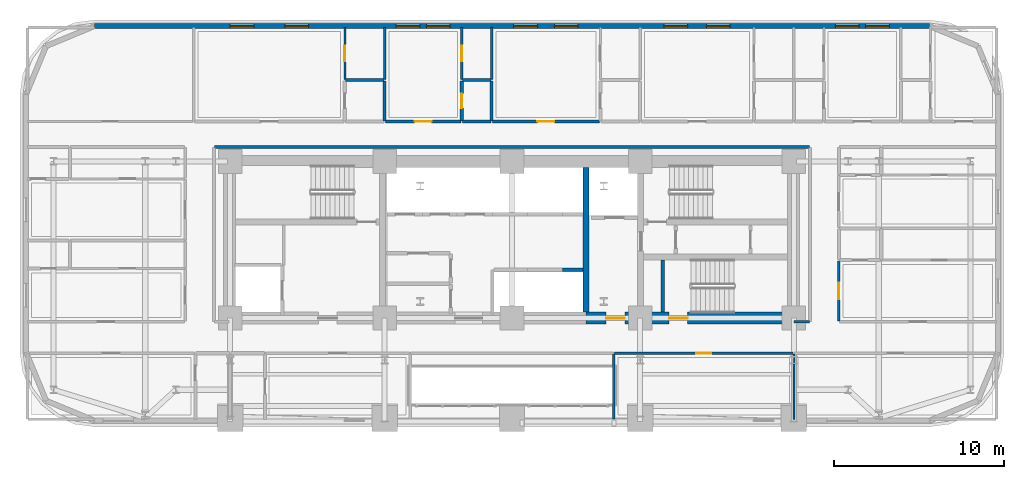
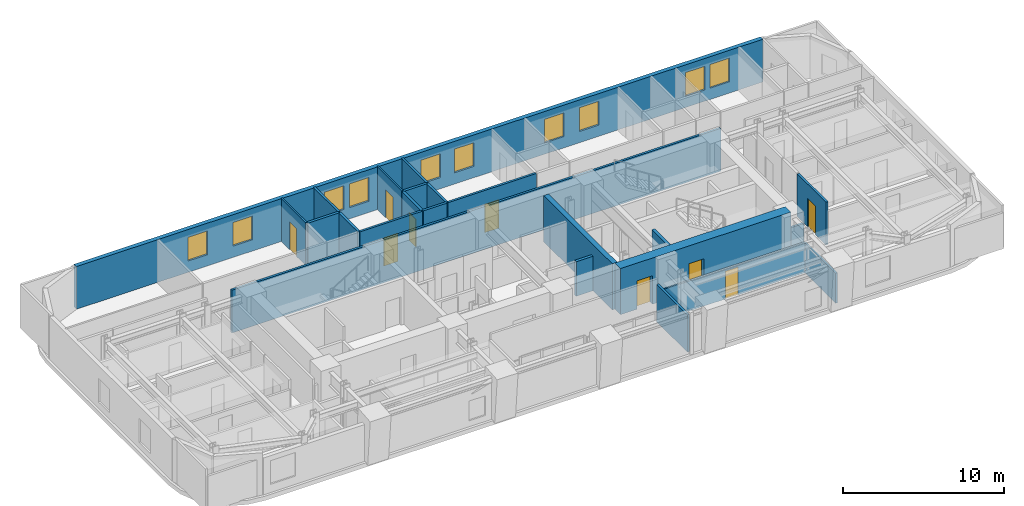
# One storey, part 9 of 16: 23 walls, 10 windows, 9 doors, 19 openings.
"""IFC4 building model written with IfcOpenShell, lengths in metres."""

from ifc_helpers import new_model, si_unit, direction, frame, frame_2d, origin, place, context, subcontext, project, spatial, rectangle, extrude, material, layer, layer_set, type_object, element, fill, save


model = new_model("IFC4")

# Units and contexts
model_context = context("Model", 3, precision=1e-05, world=origin(), true_north=direction((0.0, 1.0)))
body_context = subcontext(model_context, "Body", "Model", "MODEL_VIEW")
ifc_project = project(units=[si_unit("LENGTHUNIT", "METRE"), si_unit("AREAUNIT", "SQUARE_METRE"), si_unit("VOLUMEUNIT", "CUBIC_METRE"), si_unit("PLANEANGLEUNIT", "RADIAN"), si_unit("MASSUNIT", "GRAM", prefix="KILO")], contexts=[model_context])

# Site, building, storey
site_placement = place(None, origin())
site = spatial("IfcSite", under=ifc_project, at=site_placement, CompositionType="ELEMENT")
building_placement = place(site_placement, origin())
building = spatial("IfcBuilding", under=site, at=building_placement, Name="Zarnavel Station Tower", CompositionType="ELEMENT")
storey_placement = place(building_placement, frame((0.0, 0.0, 46.5)))
storey = spatial("IfcBuildingStorey", under=building, at=storey_placement, Name="L12", CompositionType="ELEMENT", Elevation=46.5)

# Wall
ifc_material_1 = material(Name="Concrete C50/60", Category="concrete")
ifc_layer_1 = layer(ifc_material_1, 0.35009765625)
ifc_layer_set_1 = layer_set([ifc_layer_1], Name="CW_350")
wall_type_1 = type_object("IfcWallType", Name="CW_350", PredefinedType="SHEAR", material=ifc_layer_set_1)
wall_1_placement = place(storey_placement, frame((33.14990234375, 28.169921875, 0.0), z_axis=(0.0, 0.0, 1.0), x_axis=(0.0, 1.0, 0.0)))
element("IfcWall", 1, at=wall_1_placement, inside=storey, type_object=wall_type_1, Name="L12 Rear Core Shear Wall DIV-E", PredefinedType="SHEAR", context=body_context, shape_type="SweptSolid", body=[
    extrude(rectangle(XDim=8.530029296875, YDim=0.35009765625, at=frame_2d((4.26513671875, 0.0))), origin(), (0.0, 0.0, 1.0), 3.5),
])

# Wall, openings, doors
ifc_material_2 = material(Name="Concrete C60/75", Category="concrete")
ifc_layer_2 = layer(ifc_material_2, 0.699951171875)
ifc_layer_set_2 = layer_set([ifc_layer_2], Name="CW_700")
wall_type_2 = type_object("IfcWallType", Name="CW_700", PredefinedType="SHEAR", material=ifc_layer_set_2)
wall_2_placement = place(storey_placement, frame((45.3798828125, 27.820068359375, 0.0), z_axis=(0.0, 0.0, 1.0), x_axis=(-1.0, 0.0, 0.0)))
wall_2 = element("IfcWall", 2, at=wall_2_placement, inside=storey, type_object=wall_type_2, Name="L12 Rear Core Shear Wall S-E", PredefinedType="SHEAR", context=body_context, shape_type="SweptSolid", body=[
    extrude(rectangle(XDim=12.22998046875, YDim=0.699951171875, at=frame_2d((6.114990234375, 0.0))), origin(), (0.0, 0.0, 1.0), 3.5),
])
opening_1_placement = place(wall_2_placement, frame((9.929931640625, 0.0, 0.0)))
opening_1 = element("IfcOpeningElement", 3, at=opening_1_placement, cuts=wall_2, Name="Opening FD01", PredefinedType="OPENING", context=body_context, shape_type="SweptSolid", body=[
    extrude(rectangle(XDim=1.10009765625, YDim=2.14990234375, at=frame_2d((0.550048828125, 1.074951171875))), frame((0.0, 0.35986328125, 0.0), z_axis=(0.0, -1.0, 0.0), x_axis=(1.0, 0.0, 0.0)), (0.0, 0.0, 1.0), 0.719970703125),
])
opening_2_placement = place(wall_2_placement, frame((6.22998046875, 0.0, 0.0)))
opening_2 = element("IfcOpeningElement", 4, at=opening_2_placement, cuts=wall_2, Name="Opening FD01", PredefinedType="OPENING", context=body_context, shape_type="SweptSolid", body=[
    extrude(rectangle(XDim=1.10009765625, YDim=2.14990234375, at=frame_2d((0.550048828125, 1.074951171875))), frame((0.0, 0.35986328125, 0.0), z_axis=(0.0, -1.0, 0.0), x_axis=(1.0, 0.0, 0.0)), (0.0, 0.0, 1.0), 0.719970703125),
])
ifc_material_3 = material(Name="Painted Galvanised Steel and Hardwood Leaf", Category="steel")
door_type_1 = type_object("IfcDoorType", Name="ID_STAIR_1100", OperationType="NOTDEFINED", PredefinedType="DOOR", material=ifc_material_3)
door_1_placement = place(opening_1_placement, origin())
door_1 = element("IfcDoor", 5, at=door_1_placement, inside=storey, type_object=door_type_1, Name="L12 East Firefighting Lobby Door", OperationType="SINGLE_SWING_LEFT", OverallHeight=2.14990234375, OverallWidth=1.10009765625, PredefinedType="DOOR", context=body_context, shape_type="SweptSolid", body=[
    extrude(rectangle(XDim=1.10009765625, YDim=2.14990234375, at=frame_2d((0.550048828125, 1.074951171875))), frame((0.0, 0.02490234375, 0.0), z_axis=(0.0, -1.0, 0.0), x_axis=(1.0, 0.0, 0.0)), (0.0, 0.0, 1.0), 0.050048828125),
])
fill(opening_1, door_1)
door_2_placement = place(opening_2_placement, origin())
door_2 = element("IfcDoor", 6, at=door_2_placement, inside=storey, type_object=door_type_1, Name="L12 Stair ST3 Corridor Fire Door", OperationType="SINGLE_SWING_RIGHT", OverallHeight=2.14990234375, OverallWidth=1.10009765625, PredefinedType="DOOR", context=body_context, shape_type="SweptSolid", body=[
    extrude(rectangle(XDim=1.10009765625, YDim=2.14990234375, at=frame_2d((0.550048828125, 1.074951171875))), frame((0.0, 0.02490234375, 0.0), z_axis=(0.0, -1.0, 0.0), x_axis=(1.0, 0.0, 0.0)), (0.0, 0.0, 1.0), 0.050048828125),
])
fill(opening_2, door_2)

# Wall, openings, windows
ifc_material_4 = material(Name="Precast concrete C45/55 (Dark Basalt Finish)", Category="masonry")
ifc_layer_3 = layer(ifc_material_4, 0.300048828125)
ifc_layer_set_3 = layer_set([ifc_layer_3], Name="EW_BASALT_300")
wall_type_3 = type_object("IfcWallType", Name="EW_BASALT_300", PredefinedType="SOLIDWALL", material=ifc_layer_set_3)
wall_3_placement = place(storey_placement, frame((4.199951171875, 45.02001953125, 0.0), z_axis=(0.0, 0.0, 1.0), x_axis=(1.0, 0.0, 0.0)))
wall_3 = element("IfcWall", 7, at=wall_3_placement, inside=storey, type_object=wall_type_3, Name="L12 Exterior Basalt Masonry Frame Wall 06", PredefinedType="SOLIDWALL", context=body_context, shape_type="SweptSolid", body=[
    extrude(rectangle(XDim=49.199951171875, YDim=0.300048828125, at=frame_2d((24.60009765625, 0.0))), origin(), (0.0, 0.0, 1.0), 3.239990234375),
])
opening_3_placement = place(wall_3_placement, frame((7.989990234375, 0.0, 0.85009765625)))
opening_3 = element("IfcOpeningElement", 8, at=opening_3_placement, cuts=wall_3, Name="Opening WN01", PredefinedType="OPENING", context=body_context, shape_type="SweptSolid", body=[
    extrude(rectangle(XDim=1.39990234375, YDim=1.800048828125, at=frame_2d((0.699951171875, 0.89990234375))), frame((0.0, 0.159912109375, 0.0), z_axis=(0.0, -1.0, 0.0), x_axis=(1.0, 0.0, 0.0)), (0.0, 0.0, 1.0), 0.320068359375),
])
opening_4_placement = place(wall_3_placement, frame((11.219970703125, 0.0, 0.85009765625)))
opening_4 = element("IfcOpeningElement", 9, at=opening_4_placement, cuts=wall_3, Name="Opening WN01", PredefinedType="OPENING", context=body_context, shape_type="SweptSolid", body=[
    extrude(rectangle(XDim=1.39990234375, YDim=1.800048828125, at=frame_2d((0.699951171875, 0.89990234375))), frame((0.0, 0.159912109375, 0.0), z_axis=(0.0, -1.0, 0.0), x_axis=(1.0, 0.0, 0.0)), (0.0, 0.0, 1.0), 0.320068359375),
])
opening_5_placement = place(wall_3_placement, frame((17.77978515625, 0.0, 0.85009765625)))
opening_5 = element("IfcOpeningElement", 10, at=opening_5_placement, cuts=wall_3, Name="Opening WN01", PredefinedType="OPENING", context=body_context, shape_type="SweptSolid", body=[
    extrude(rectangle(XDim=1.39990234375, YDim=1.800048828125, at=frame_2d((0.699951171875, 0.89990234375))), frame((0.0, 0.159912109375, 0.0), z_axis=(0.0, -1.0, 0.0), x_axis=(1.0, 0.0, 0.0)), (0.0, 0.0, 1.0), 0.320068359375),
])
opening_6_placement = place(wall_3_placement, frame((19.559326171875, 0.0, 0.85009765625)))
opening_6 = element("IfcOpeningElement", 11, at=opening_6_placement, cuts=wall_3, Name="Opening WN01", PredefinedType="OPENING", context=body_context, shape_type="SweptSolid", body=[
    extrude(rectangle(XDim=1.39990234375, YDim=1.800048828125, at=frame_2d((0.699951171875, 0.89990234375))), frame((0.0, 0.159912109375, 0.0), z_axis=(0.0, -1.0, 0.0), x_axis=(1.0, 0.0, 0.0)), (0.0, 0.0, 1.0), 0.320068359375),
])
opening_7_placement = place(wall_3_placement, frame((24.70263671875, 0.0, 0.85009765625)))
opening_7 = element("IfcOpeningElement", 12, at=opening_7_placement, cuts=wall_3, Name="Opening WN01", PredefinedType="OPENING", context=body_context, shape_type="SweptSolid", body=[
    extrude(rectangle(XDim=1.39990234375, YDim=1.800048828125, at=frame_2d((0.699951171875, 0.89990234375))), frame((0.0, 0.159912109375, 0.0), z_axis=(0.0, -1.0, 0.0), x_axis=(1.0, 0.0, 0.0)), (0.0, 0.0, 1.0), 0.320068359375),
])
opening_8_placement = place(wall_3_placement, frame((27.101318359375, 0.0, 0.85009765625)))
opening_8 = element("IfcOpeningElement", 13, at=opening_8_placement, cuts=wall_3, Name="Opening WN01", PredefinedType="OPENING", context=body_context, shape_type="SweptSolid", body=[
    extrude(rectangle(XDim=1.39990234375, YDim=1.800048828125, at=frame_2d((0.699951171875, 0.89990234375))), frame((0.0, 0.159912109375, 0.0), z_axis=(0.0, -1.0, 0.0), x_axis=(1.0, 0.0, 0.0)), (0.0, 0.0, 1.0), 0.320068359375),
])
opening_9_placement = place(wall_3_placement, frame((33.550048828125, 0.0, 0.85009765625)))
opening_9 = element("IfcOpeningElement", 14, at=opening_9_placement, cuts=wall_3, Name="Opening WN01", PredefinedType="OPENING", context=body_context, shape_type="SweptSolid", body=[
    extrude(rectangle(XDim=1.39990234375, YDim=1.800048828125, at=frame_2d((0.699951171875, 0.89990234375))), frame((0.0, 0.159912109375, 0.0), z_axis=(0.0, -1.0, 0.0), x_axis=(1.0, 0.0, 0.0)), (0.0, 0.0, 1.0), 0.320068359375),
])
opening_10_placement = place(wall_3_placement, frame((36.050048828125, 0.0, 0.85009765625)))
opening_10 = element("IfcOpeningElement", 15, at=opening_10_placement, cuts=wall_3, Name="Opening WN01", PredefinedType="OPENING", context=body_context, shape_type="SweptSolid", body=[
    extrude(rectangle(XDim=1.39990234375, YDim=1.800048828125, at=frame_2d((0.699951171875, 0.89990234375))), frame((0.0, 0.159912109375, 0.0), z_axis=(0.0, -1.0, 0.0), x_axis=(1.0, 0.0, 0.0)), (0.0, 0.0, 1.0), 0.320068359375),
])
opening_11_placement = place(wall_3_placement, frame((43.644775390625, 0.0, 0.85009765625)))
opening_11 = element("IfcOpeningElement", 16, at=opening_11_placement, cuts=wall_3, Name="Opening WN01", PredefinedType="OPENING", context=body_context, shape_type="SweptSolid", body=[
    extrude(rectangle(XDim=1.39990234375, YDim=1.800048828125, at=frame_2d((0.699951171875, 0.89990234375))), frame((0.0, 0.159912109375, 0.0), z_axis=(0.0, -1.0, 0.0), x_axis=(1.0, 0.0, 0.0)), (0.0, 0.0, 1.0), 0.320068359375),
])
opening_12_placement = place(wall_3_placement, frame((45.42431640625, 0.0, 0.85009765625)))
opening_12 = element("IfcOpeningElement", 17, at=opening_12_placement, cuts=wall_3, Name="Opening WN01", PredefinedType="OPENING", context=body_context, shape_type="SweptSolid", body=[
    extrude(rectangle(XDim=1.39990234375, YDim=1.800048828125, at=frame_2d((0.699951171875, 0.89990234375))), frame((0.0, 0.159912109375, 0.0), z_axis=(0.0, -1.0, 0.0), x_axis=(1.0, 0.0, 0.0)), (0.0, 0.0, 1.0), 0.320068359375),
])
ifc_material_5 = material(Name="Thermally Broken Black Aluminium and Low-E Dark Glass", Category="aluminium")
window_type = type_object("IfcWindowType", Name="WN_1400x1800", PartitioningType="DOUBLE_PANEL_VERTICAL", PredefinedType="WINDOW", material=ifc_material_5)
window_1_placement = place(opening_3_placement, origin())
window_1 = element("IfcWindow", 18, at=window_1_placement, inside=storey, type_object=window_type, Name="L12 Recessed Facade Window 01", OverallHeight=1.800048828125, OverallWidth=1.39990234375, PartitioningType="SINGLE_PANEL", PredefinedType="WINDOW", context=body_context, shape_type="SweptSolid", body=[
    extrude(rectangle(XDim=1.39990234375, YDim=1.800048828125, at=frame_2d((0.699951171875, 0.89990234375))), frame((0.0, 0.030029296875, 0.0), z_axis=(0.0, -1.0, 0.0), x_axis=(1.0, 0.0, 0.0)), (0.0, 0.0, 1.0), 0.06005859375),
])
fill(opening_3, window_1)
window_2_placement = place(opening_4_placement, origin())
window_2 = element("IfcWindow", 19, at=window_2_placement, inside=storey, type_object=window_type, Name="L12 Recessed Facade Window 02", OverallHeight=1.800048828125, OverallWidth=1.39990234375, PartitioningType="SINGLE_PANEL", PredefinedType="WINDOW", context=body_context, shape_type="SweptSolid", body=[
    extrude(rectangle(XDim=1.39990234375, YDim=1.800048828125, at=frame_2d((0.699951171875, 0.89990234375))), frame((0.0, 0.030029296875, 0.0), z_axis=(0.0, -1.0, 0.0), x_axis=(1.0, 0.0, 0.0)), (0.0, 0.0, 1.0), 0.06005859375),
])
fill(opening_4, window_2)
window_3_placement = place(opening_5_placement, origin())
window_3 = element("IfcWindow", 20, at=window_3_placement, inside=storey, type_object=window_type, Name="L12 Recessed Facade Window 03", OverallHeight=1.800048828125, OverallWidth=1.39990234375, PartitioningType="SINGLE_PANEL", PredefinedType="WINDOW", context=body_context, shape_type="SweptSolid", body=[
    extrude(rectangle(XDim=1.39990234375, YDim=1.800048828125, at=frame_2d((0.699951171875, 0.89990234375))), frame((0.0, 0.030029296875, 0.0), z_axis=(0.0, -1.0, 0.0), x_axis=(1.0, 0.0, 0.0)), (0.0, 0.0, 1.0), 0.06005859375),
])
fill(opening_5, window_3)
window_4_placement = place(opening_6_placement, origin())
window_4 = element("IfcWindow", 21, at=window_4_placement, inside=storey, type_object=window_type, Name="L12 Recessed Facade Window 04", OverallHeight=1.800048828125, OverallWidth=1.39990234375, PartitioningType="SINGLE_PANEL", PredefinedType="WINDOW", context=body_context, shape_type="SweptSolid", body=[
    extrude(rectangle(XDim=1.39990234375, YDim=1.800048828125, at=frame_2d((0.699951171875, 0.89990234375))), frame((0.0, 0.030029296875, 0.0), z_axis=(0.0, -1.0, 0.0), x_axis=(1.0, 0.0, 0.0)), (0.0, 0.0, 1.0), 0.06005859375),
])
fill(opening_6, window_4)
window_5_placement = place(opening_7_placement, origin())
window_5 = element("IfcWindow", 22, at=window_5_placement, inside=storey, type_object=window_type, Name="L12 Recessed Facade Window 05", OverallHeight=1.800048828125, OverallWidth=1.39990234375, PartitioningType="SINGLE_PANEL", PredefinedType="WINDOW", context=body_context, shape_type="SweptSolid", body=[
    extrude(rectangle(XDim=1.39990234375, YDim=1.800048828125, at=frame_2d((0.699951171875, 0.89990234375))), frame((0.0, 0.030029296875, 0.0), z_axis=(0.0, -1.0, 0.0), x_axis=(1.0, 0.0, 0.0)), (0.0, 0.0, 1.0), 0.06005859375),
])
fill(opening_7, window_5)
window_6_placement = place(opening_8_placement, origin())
window_6 = element("IfcWindow", 23, at=window_6_placement, inside=storey, type_object=window_type, Name="L12 Recessed Facade Window 06", OverallHeight=1.800048828125, OverallWidth=1.39990234375, PartitioningType="SINGLE_PANEL", PredefinedType="WINDOW", context=body_context, shape_type="SweptSolid", body=[
    extrude(rectangle(XDim=1.39990234375, YDim=1.800048828125, at=frame_2d((0.699951171875, 0.89990234375))), frame((0.0, 0.030029296875, 0.0), z_axis=(0.0, -1.0, 0.0), x_axis=(1.0, 0.0, 0.0)), (0.0, 0.0, 1.0), 0.06005859375),
])
fill(opening_8, window_6)
window_7_placement = place(opening_9_placement, origin())
window_7 = element("IfcWindow", 24, at=window_7_placement, inside=storey, type_object=window_type, Name="L12 Recessed Facade Window 07", OverallHeight=1.800048828125, OverallWidth=1.39990234375, PartitioningType="SINGLE_PANEL", PredefinedType="WINDOW", context=body_context, shape_type="SweptSolid", body=[
    extrude(rectangle(XDim=1.39990234375, YDim=1.800048828125, at=frame_2d((0.699951171875, 0.89990234375))), frame((0.0, 0.030029296875, 0.0), z_axis=(0.0, -1.0, 0.0), x_axis=(1.0, 0.0, 0.0)), (0.0, 0.0, 1.0), 0.06005859375),
])
fill(opening_9, window_7)
window_8_placement = place(opening_10_placement, origin())
window_8 = element("IfcWindow", 25, at=window_8_placement, inside=storey, type_object=window_type, Name="L12 Recessed Facade Window 08", OverallHeight=1.800048828125, OverallWidth=1.39990234375, PartitioningType="SINGLE_PANEL", PredefinedType="WINDOW", context=body_context, shape_type="SweptSolid", body=[
    extrude(rectangle(XDim=1.39990234375, YDim=1.800048828125, at=frame_2d((0.699951171875, 0.89990234375))), frame((0.0, 0.030029296875, 0.0), z_axis=(0.0, -1.0, 0.0), x_axis=(1.0, 0.0, 0.0)), (0.0, 0.0, 1.0), 0.06005859375),
])
fill(opening_10, window_8)
window_9_placement = place(opening_11_placement, origin())
window_9 = element("IfcWindow", 26, at=window_9_placement, inside=storey, type_object=window_type, Name="L12 Recessed Facade Window 09", OverallHeight=1.800048828125, OverallWidth=1.39990234375, PartitioningType="SINGLE_PANEL", PredefinedType="WINDOW", context=body_context, shape_type="SweptSolid", body=[
    extrude(rectangle(XDim=1.39990234375, YDim=1.800048828125, at=frame_2d((0.699951171875, 0.89990234375))), frame((0.0, 0.030029296875, 0.0), z_axis=(0.0, -1.0, 0.0), x_axis=(1.0, 0.0, 0.0)), (0.0, 0.0, 1.0), 0.06005859375),
])
fill(opening_11, window_9)
window_10_placement = place(opening_12_placement, origin())
window_10 = element("IfcWindow", 27, at=window_10_placement, inside=storey, type_object=window_type, Name="L12 Recessed Facade Window 10", OverallHeight=1.800048828125, OverallWidth=1.39990234375, PartitioningType="SINGLE_PANEL", PredefinedType="WINDOW", context=body_context, shape_type="SweptSolid", body=[
    extrude(rectangle(XDim=1.39990234375, YDim=1.800048828125, at=frame_2d((0.699951171875, 0.89990234375))), frame((0.0, 0.030029296875, 0.0), z_axis=(0.0, -1.0, 0.0), x_axis=(1.0, 0.0, 0.0)), (0.0, 0.0, 1.0), 0.06005859375),
])
fill(opening_12, window_10)

# Wall, opening, door
ifc_material_6 = material(Name="Gypsum Twin-Stud Acoustic Fire Partition", Category="concrete")
ifc_layer_4 = layer(ifc_material_6, 0.159912109375)
ifc_layer_set_4 = layer_set([ifc_layer_4], Name="PT_DEMISE_160")
wall_type_4 = type_object("IfcWallType", Name="PT_DEMISE_160", PredefinedType="PARTITIONING", material=ifc_layer_set_4)
wall_4_placement = place(storey_placement, frame((48.050048828125, 27.639892578125, 0.0), z_axis=(0.0, 0.0, 1.0), x_axis=(0.0, 1.0, 0.0)))
wall_4 = element("IfcWall", 28, at=wall_4_placement, inside=storey, type_object=wall_type_4, Name="L12 Partition COR-E-FNE1R", PredefinedType="PARTITIONING", context=body_context, shape_type="SweptSolid", body=[
    extrude(rectangle(XDim=3.55615234375, YDim=0.159912109375, at=frame_2d((1.778076171875, 0.0))), origin(), (0.0, 0.0, 1.0), 3.239990234375),
])
opening_13_placement = place(wall_4_placement, frame((1.278076171875, 0.0, 0.0)))
opening_13 = element("IfcOpeningElement", 29, at=opening_13_placement, cuts=wall_4, Name="Opening FD02", PredefinedType="OPENING", context=body_context, shape_type="SweptSolid", body=[
    extrude(rectangle(XDim=1.0, YDim=2.14990234375, at=frame_2d((0.5, 1.074951171875))), frame((0.0, 0.08984375, 0.0), z_axis=(0.0, -1.0, 0.0), x_axis=(1.0, 0.0, 0.0)), (0.0, 0.0, 1.0), 0.179931640625),
])
ifc_material_7 = material(Name="Painted Galvanised Steel and Hardwood Leaf", Category="steel")
door_type_2 = type_object("IfcDoorType", Name="ID_ENTRY_1000", OperationType="NOTDEFINED", PredefinedType="DOOR", material=ifc_material_7)
door_3_placement = place(opening_13_placement, origin())
door_3 = element("IfcDoor", 30, at=door_3_placement, inside=storey, type_object=door_type_2, Name="L12 Door COR-E-FNE1R", OperationType="SINGLE_SWING_RIGHT", OverallHeight=2.14990234375, OverallWidth=1.0, PredefinedType="DOOR", context=body_context, shape_type="SweptSolid", body=[
    extrude(rectangle(XDim=1.0, YDim=2.14990234375, at=frame_2d((0.5, 1.074951171875))), frame((0.0, 0.02490234375, 0.0), z_axis=(0.0, -1.0, 0.0), x_axis=(1.0, 0.0, 0.0)), (0.0, 0.0, 1.0), 0.050048828125),
])
fill(opening_13, door_3)

wall_5_placement = place(storey_placement, frame((21.340087890625, 39.39990234375, 0.0), z_axis=(0.0, 0.0, 1.0), x_axis=(1.0, 0.0, 0.0)))
wall_5 = element("IfcWall", 31, at=wall_5_placement, inside=storey, type_object=wall_type_4, Name="L12 Partition COR-N-HN2R", PredefinedType="PARTITIONING", context=body_context, shape_type="SweptSolid", body=[
    extrude(rectangle(XDim=4.458984375, YDim=0.159912109375, at=frame_2d((2.2294921875, 0.0))), origin(), (0.0, 0.0, 1.0), 3.239990234375),
])
opening_14_placement = place(wall_5_placement, frame((1.7294921875, 0.0, 0.0)))
opening_14 = element("IfcOpeningElement", 32, at=opening_14_placement, cuts=wall_5, Name="Opening FD02", PredefinedType="OPENING", context=body_context, shape_type="SweptSolid", body=[
    extrude(rectangle(XDim=1.0, YDim=2.14990234375, at=frame_2d((0.5, 1.074951171875))), frame((0.0, 0.08984375, 0.0), z_axis=(0.0, -1.0, 0.0), x_axis=(1.0, 0.0, 0.0)), (0.0, 0.0, 1.0), 0.179931640625),
])
door_4_placement = place(opening_14_placement, origin())
door_4 = element("IfcDoor", 33, at=door_4_placement, inside=storey, type_object=door_type_2, Name="L12 Door COR-N-HN2R", OperationType="SINGLE_SWING_RIGHT", OverallHeight=2.14990234375, OverallWidth=1.0, PredefinedType="DOOR", context=body_context, shape_type="SweptSolid", body=[
    extrude(rectangle(XDim=1.0, YDim=2.14990234375, at=frame_2d((0.5, 1.074951171875))), frame((0.0, 0.02490234375, 0.0), z_axis=(0.0, -1.0, 0.0), x_axis=(1.0, 0.0, 0.0)), (0.0, 0.0, 1.0), 0.050048828125),
])
fill(opening_14, door_4)

wall_6_placement = place(storey_placement, frame((27.64404296875, 39.39990234375, 0.0), z_axis=(0.0, 0.0, 1.0), x_axis=(1.0, 0.0, 0.0)))
wall_6 = element("IfcWall", 34, at=wall_6_placement, inside=storey, type_object=wall_type_4, Name="L12 Partition COR-N-HN3R", PredefinedType="PARTITIONING", context=body_context, shape_type="SweptSolid", body=[
    extrude(rectangle(XDim=6.31591796875, YDim=0.159912109375, at=frame_2d((3.157958984375, 0.0))), origin(), (0.0, 0.0, 1.0), 3.239990234375),
])
opening_15_placement = place(wall_6_placement, frame((2.657958984375, 0.0, 0.0)))
opening_15 = element("IfcOpeningElement", 35, at=opening_15_placement, cuts=wall_6, Name="Opening FD02", PredefinedType="OPENING", context=body_context, shape_type="SweptSolid", body=[
    extrude(rectangle(XDim=1.0, YDim=2.14990234375, at=frame_2d((0.5, 1.074951171875))), frame((0.0, 0.08984375, 0.0), z_axis=(0.0, -1.0, 0.0), x_axis=(1.0, 0.0, 0.0)), (0.0, 0.0, 1.0), 0.179931640625),
])
door_5_placement = place(opening_15_placement, origin())
door_5 = element("IfcDoor", 36, at=door_5_placement, inside=storey, type_object=door_type_2, Name="L12 Door COR-N-HN3R", OperationType="SINGLE_SWING_LEFT", OverallHeight=2.14990234375, OverallWidth=1.0, PredefinedType="DOOR", context=body_context, shape_type="SweptSolid", body=[
    extrude(rectangle(XDim=1.0, YDim=2.14990234375, at=frame_2d((0.5, 1.074951171875))), frame((0.0, 0.02490234375, 0.0), z_axis=(0.0, -1.0, 0.0), x_axis=(1.0, 0.0, 0.0)), (0.0, 0.0, 1.0), 0.050048828125),
])
fill(opening_15, door_5)

# Walls
for number, where, z_axis, x_axis, name in (
    (37, (21.300048828125, 41.8779296875, 0.0), (0.0, 0.0, 1.0), (0.0, 1.0, 0.0), "L12 Partition HN1S-HN2R"),
    (38, (27.60400390625, 41.8779296875, 0.0), (0.0, 0.0, 1.0), (0.0, 1.0, 0.0), "L12 Partition HN2S-HN3R"),
):
    element("IfcWall", number, at=place(storey_placement, frame(where, z_axis=z_axis, x_axis=x_axis)), inside=storey, type_object=wall_type_4, Name=name, PredefinedType="PARTITIONING", context=body_context, shape_type="SweptSolid", body=[
        extrude(rectangle(XDim=3.06201171875, YDim=0.159912109375, at=frame_2d((1.531005859375, 0.0))), origin(), (0.0, 0.0, 1.0), 3.239990234375),
    ])
wall_7_placement = place(storey_placement, frame((45.409912109375, 27.60009765625, 0.0), z_axis=(0.0, 0.0, 1.0), x_axis=(1.0, 0.0, 0.0)))
element("IfcWall", 39, at=wall_7_placement, inside=storey, type_object=wall_type_4, Name="L12 Enclosure Wall COR-S", PredefinedType="PARTITIONING", context=body_context, shape_type="SweptSolid", body=[
    extrude(rectangle(XDim=0.91015625, YDim=0.159912109375, at=frame_2d((0.455078125, 0.0))), origin(), (0.0, 0.0, 1.0), 2.280029296875),
])
wall_8_placement = place(storey_placement, frame((11.280029296875, 37.89990234375, 0.0), z_axis=(0.0, 0.0, 1.0), x_axis=(1.0, 0.0, 0.0)))
element("IfcWall", 40, at=wall_8_placement, inside=storey, type_object=wall_type_4, Name="L12 Enclosure Wall COR-N", PredefinedType="PARTITIONING", context=body_context, shape_type="SweptSolid", body=[
    extrude(rectangle(XDim=35.0400390625, YDim=0.159912109375, at=frame_2d((17.52001953125, 0.0))), origin(), (0.0, 0.0, 1.0), 3.239990234375),
])
wall_9_placement = place(storey_placement, frame((34.800048828125, 21.889892578125, 0.0), z_axis=(0.0, 0.0, 1.0), x_axis=(0.0, 1.0, 0.0)))
element("IfcWall", 41, at=wall_9_placement, inside=storey, type_object=wall_type_4, Name="L12 Enclosure Wall Z1CNF", PredefinedType="PARTITIONING", context=body_context, shape_type="SweptSolid", body=[
    extrude(rectangle(XDim=3.830078125, YDim=0.159912109375, at=frame_2d((1.9150390625, 0.0))), origin(), (0.0, 0.0, 1.0), 2.820068359375),
])

# Wall, opening, door
ifc_material_8 = material(Name="Gypsum Metal-Stud Interior Partition", Category="concrete")
ifc_layer_5 = layer(ifc_material_8, 0.1201171875)
ifc_layer_set_5 = layer_set([ifc_layer_5], Name="PT_ROOM_120")
wall_type_5 = type_object("IfcWallType", Name="PT_ROOM_120", PredefinedType="PARTITIONING", material=ifc_layer_set_5)
wall_10_placement = place(storey_placement, frame((34.840087890625, 25.75, 0.0), z_axis=(0.0, 0.0, 1.0), x_axis=(1.0, 0.0, 0.0)))
wall_10 = element("IfcWall", 42, at=wall_10_placement, inside=storey, type_object=wall_type_5, Name="L12 Partition COR-S-Z1CNF", PredefinedType="PARTITIONING", context=body_context, shape_type="SweptSolid", body=[
    extrude(rectangle(XDim=10.52001953125, YDim=0.1201171875, at=frame_2d((5.260009765625, 0.0))), origin(), (0.0, 0.0, 1.0), 2.280029296875),
])
opening_16_placement = place(wall_10_placement, frame((4.81005859375, 0.0, 0.0)))
opening_16 = element("IfcOpeningElement", 43, at=opening_16_placement, cuts=wall_10, Name="Opening ID01", PredefinedType="OPENING", context=body_context, shape_type="SweptSolid", body=[
    extrude(rectangle(XDim=0.89990234375, YDim=2.10009765625, at=frame_2d((0.449951171875, 1.050048828125))), frame((0.0, 0.070068359375, 0.0), z_axis=(0.0, -1.0, 0.0), x_axis=(1.0, 0.0, 0.0)), (0.0, 0.0, 1.0), 0.14013671875),
])
ifc_material_9 = material(Name="Painted Galvanised Steel and Hardwood Leaf", Category="steel")
door_type_3 = type_object("IfcDoorType", Name="ID_ROOM_900", OperationType="NOTDEFINED", PredefinedType="DOOR", material=ifc_material_9)
door_6_placement = place(opening_16_placement, origin())
door_6 = element("IfcDoor", 44, at=door_6_placement, inside=storey, type_object=door_type_3, Name="L12 Door COR-S-Z1CNF", OperationType="SINGLE_SWING_RIGHT", OverallHeight=2.10009765625, OverallWidth=0.89990234375, PredefinedType="DOOR", context=body_context, shape_type="SweptSolid", body=[
    extrude(rectangle(XDim=0.89990234375, YDim=2.10009765625, at=frame_2d((0.449951171875, 1.050048828125))), frame((0.0, 0.02490234375, 0.0), z_axis=(0.0, -1.0, 0.0), x_axis=(1.0, 0.0, 0.0)), (0.0, 0.0, 1.0), 0.050048828125),
])
fill(opening_16, door_6)

wall_11_placement = place(storey_placement, frame((18.949951171875, 41.8779296875, 0.0), z_axis=(0.0, 0.0, 1.0), x_axis=(0.0, 1.0, 0.0)))
wall_11 = element("IfcWall", 45, at=wall_11_placement, inside=storey, type_object=wall_type_5, Name="L12 Partition HN1R-HN1S", PredefinedType="PARTITIONING", context=body_context, shape_type="SweptSolid", body=[
    extrude(rectangle(XDim=3.06201171875, YDim=0.1201171875, at=frame_2d((1.531005859375, 0.0))), origin(), (0.0, 0.0, 1.0), 3.239990234375),
])
opening_17_placement = place(wall_11_placement, frame((1.0810546875, 0.0, 0.0)))
opening_17 = element("IfcOpeningElement", 46, at=opening_17_placement, cuts=wall_11, Name="Opening ID01", PredefinedType="OPENING", context=body_context, shape_type="SweptSolid", body=[
    extrude(rectangle(XDim=0.89990234375, YDim=2.10009765625, at=frame_2d((0.449951171875, 1.050048828125))), frame((0.0, 0.070068359375, 0.0), z_axis=(0.0, -1.0, 0.0), x_axis=(1.0, 0.0, 0.0)), (0.0, 0.0, 1.0), 0.14013671875),
])
door_7_placement = place(opening_17_placement, origin())
door_7 = element("IfcDoor", 47, at=door_7_placement, inside=storey, type_object=door_type_3, Name="L12 Door HN1R-HN1S", OperationType="SINGLE_SWING_RIGHT", OverallHeight=2.10009765625, OverallWidth=0.89990234375, PredefinedType="DOOR", context=body_context, shape_type="SweptSolid", body=[
    extrude(rectangle(XDim=0.89990234375, YDim=2.10009765625, at=frame_2d((0.449951171875, 1.050048828125))), frame((0.0, 0.02490234375, 0.0), z_axis=(0.0, -1.0, 0.0), x_axis=(1.0, 0.0, 0.0)), (0.0, 0.0, 1.0), 0.050048828125),
])
fill(opening_17, door_7)

wall_12_placement = place(storey_placement, frame((25.839111328125, 41.8779296875, 0.0), z_axis=(0.0, 0.0, 1.0), x_axis=(0.0, 1.0, 0.0)))
wall_12 = element("IfcWall", 48, at=wall_12_placement, inside=storey, type_object=wall_type_5, Name="L12 Partition HN2R-HN2S", PredefinedType="PARTITIONING", context=body_context, shape_type="SweptSolid", body=[
    extrude(rectangle(XDim=3.06201171875, YDim=0.1201171875, at=frame_2d((1.531005859375, 0.0))), origin(), (0.0, 0.0, 1.0), 3.239990234375),
])
opening_18_placement = place(wall_12_placement, frame((1.0810546875, 0.0, 0.0)))
opening_18 = element("IfcOpeningElement", 49, at=opening_18_placement, cuts=wall_12, Name="Opening ID01", PredefinedType="OPENING", context=body_context, shape_type="SweptSolid", body=[
    extrude(rectangle(XDim=0.89990234375, YDim=2.10009765625, at=frame_2d((0.449951171875, 1.050048828125))), frame((0.0, 0.070068359375, 0.0), z_axis=(0.0, -1.0, 0.0), x_axis=(1.0, 0.0, 0.0)), (0.0, 0.0, 1.0), 0.14013671875),
])
door_8_placement = place(opening_18_placement, origin())
door_8 = element("IfcDoor", 50, at=door_8_placement, inside=storey, type_object=door_type_3, Name="L12 Door HN2R-HN2S", OperationType="SINGLE_SWING_RIGHT", OverallHeight=2.10009765625, OverallWidth=0.89990234375, PredefinedType="DOOR", context=body_context, shape_type="SweptSolid", body=[
    extrude(rectangle(XDim=0.89990234375, YDim=2.10009765625, at=frame_2d((0.449951171875, 1.050048828125))), frame((0.0, 0.02490234375, 0.0), z_axis=(0.0, -1.0, 0.0), x_axis=(1.0, 0.0, 0.0)), (0.0, 0.0, 1.0), 0.050048828125),
])
fill(opening_18, door_8)

# Walls
wall_13_placement = place(storey_placement, frame((45.39990234375, 21.860107421875, 0.0), z_axis=(0.0, 0.0, 1.0), x_axis=(0.0, 1.0, 0.0)))
element("IfcWall", 51, at=wall_13_placement, inside=storey, type_object=wall_type_5, Name="L12 Partition Z1CNF-Z1SYN", PredefinedType="PARTITIONING", context=body_context, shape_type="SweptSolid", body=[
    extrude(rectangle(XDim=3.849853515625, YDim=0.1201171875, at=frame_2d((1.9248046875, 0.0))), origin(), (0.0, 0.0, 1.0), 2.280029296875),
])
ifc_material_10 = material(Name="Precast concrete C45/55 (Fire Shaft Blockwork)", Category="masonry")
ifc_layer_6 = layer(ifc_material_10, 0.199951171875)
ifc_layer_set_6 = layer_set([ifc_layer_6], Name="PT_SHAFT_200")
wall_type_6 = type_object("IfcWallType", Name="PT_SHAFT_200", PredefinedType="PARTITIONING", material=ifc_layer_set_6)
wall_14_placement = place(storey_placement, frame((31.77490234375, 30.669921875, 0.0), z_axis=(0.0, 0.0, 1.0), x_axis=(1.0, 0.0, 0.0)))
element("IfcWall", 52, at=wall_14_placement, inside=storey, type_object=wall_type_6, Name="L12 Lift PL-H3 Shaft Front Wall", PredefinedType="PARTITIONING", context=body_context, shape_type="SweptSolid", body=[
    extrude(rectangle(XDim=1.2001953125, YDim=0.199951171875, at=frame_2d((0.60009765625, 0.0))), origin(), (0.0, 0.0, 1.0), 2.6201171875),
])
wall_15_placement = place(storey_placement, frame((37.679931640625, 28.169921875, 0.0), z_axis=(0.0, 0.0, 1.0), x_axis=(0.0, 1.0, 0.0)))
element("IfcWall", 53, at=wall_15_placement, inside=storey, type_object=wall_type_6, Name="L12 Stair ST3 West Shaft Wall", PredefinedType="PARTITIONING", context=body_context, shape_type="SweptSolid", body=[
    extrude(rectangle(XDim=3.080078125, YDim=0.199951171875, at=frame_2d((1.5400390625, 0.0))), origin(), (0.0, 0.0, 1.0), 2.6201171875),
])
ifc_material_11 = material(Name="Moisture-Resistant Plumbing Chase Wall", Category="concrete")
ifc_layer_7 = layer(ifc_material_11, 0.179931640625)
ifc_layer_set_7 = layer_set([ifc_layer_7], Name="PW_PLUMB_180")
wall_type_7 = type_object("IfcWallType", Name="PW_PLUMB_180", PredefinedType="PLUMBINGWALL", material=ifc_layer_set_7)
wall_16_placement = place(storey_placement, frame((25.87890625, 39.39990234375, 0.0), z_axis=(0.0, 0.0, 1.0), x_axis=(1.0, 0.0, 0.0)))
element("IfcWall", 54, at=wall_16_placement, inside=storey, type_object=wall_type_7, Name="L12 Partition COR-N-HN2B", PredefinedType="PLUMBINGWALL", context=body_context, shape_type="SweptSolid", body=[
    extrude(rectangle(XDim=1.68505859375, YDim=0.179931640625, at=frame_2d((0.842529296875, 0.0))), origin(), (0.0, 0.0, 1.0), 3.239990234375),
])
wall_17_placement = place(storey_placement, frame((18.989990234375, 41.837890625, 0.0), z_axis=(0.0, 0.0, 1.0), x_axis=(1.0, 0.0, 0.0)))
element("IfcWall", 55, at=wall_17_placement, inside=storey, type_object=wall_type_7, Name="L12 Partition HN1B-HN1S", PredefinedType="PLUMBINGWALL", context=body_context, shape_type="SweptSolid", body=[
    extrude(rectangle(XDim=2.27001953125, YDim=0.179931640625, at=frame_2d((1.135009765625, 0.0))), origin(), (0.0, 0.0, 1.0), 3.239990234375),
])
wall_18_placement = place(storey_placement, frame((21.300048828125, 39.43994140625, 0.0), z_axis=(0.0, 0.0, 1.0), x_axis=(0.0, 1.0, 0.0)))
element("IfcWall", 56, at=wall_18_placement, inside=storey, type_object=wall_type_7, Name="L12 Partition HN1B-HN2R", PredefinedType="PLUMBINGWALL", context=body_context, shape_type="SweptSolid", body=[
    extrude(rectangle(XDim=2.358154296875, YDim=0.179931640625, at=frame_2d((1.17919921875, 0.0))), origin(), (0.0, 0.0, 1.0), 3.239990234375),
])

# Wall, opening, door
wall_19_placement = place(storey_placement, frame((25.839111328125, 39.43994140625, 0.0), z_axis=(0.0, 0.0, 1.0), x_axis=(0.0, 1.0, 0.0)))
wall_19 = element("IfcWall", 57, at=wall_19_placement, inside=storey, type_object=wall_type_7, Name="L12 Partition HN2R-HN2B", PredefinedType="PLUMBINGWALL", context=body_context, shape_type="SweptSolid", body=[
    extrude(rectangle(XDim=2.358154296875, YDim=0.179931640625, at=frame_2d((1.17919921875, 0.0))), origin(), (0.0, 0.0, 1.0), 3.239990234375),
])
opening_19_placement = place(wall_19_placement, frame((0.75390625, 0.0, 0.0)))
opening_19 = element("IfcOpeningElement", 58, at=opening_19_placement, cuts=wall_19, Name="Opening ID02", PredefinedType="OPENING", context=body_context, shape_type="SweptSolid", body=[
    extrude(rectangle(XDim=0.85009765625, YDim=2.10009765625, at=frame_2d((0.425048828125, 1.050048828125))), frame((0.0, 0.099853515625, 0.0), z_axis=(0.0, -1.0, 0.0), x_axis=(1.0, 0.0, 0.0)), (0.0, 0.0, 1.0), 0.199951171875),
])
ifc_material_12 = material(Name="Painted Galvanised Steel and Hardwood Leaf", Category="steel")
door_type_4 = type_object("IfcDoorType", Name="ID_BATH_850", OperationType="NOTDEFINED", PredefinedType="DOOR", material=ifc_material_12)
door_9_placement = place(opening_19_placement, origin())
door_9 = element("IfcDoor", 59, at=door_9_placement, inside=storey, type_object=door_type_4, Name="L12 Door HN2R-HN2B", OperationType="SINGLE_SWING_LEFT", OverallHeight=2.10009765625, OverallWidth=0.85009765625, PredefinedType="DOOR", context=body_context, shape_type="SweptSolid", body=[
    extrude(rectangle(XDim=0.85009765625, YDim=2.10009765625, at=frame_2d((0.425048828125, 1.050048828125))), frame((0.0, 0.02490234375, 0.0), z_axis=(0.0, -1.0, 0.0), x_axis=(1.0, 0.0, 0.0)), (0.0, 0.0, 1.0), 0.050048828125),
])
fill(opening_19, door_9)

# Walls
wall_20_placement = place(storey_placement, frame((25.87890625, 41.837890625, 0.0), z_axis=(0.0, 0.0, 1.0), x_axis=(1.0, 0.0, 0.0)))
element("IfcWall", 60, at=wall_20_placement, inside=storey, type_object=wall_type_7, Name="L12 Partition HN2B-HN2S", PredefinedType="PLUMBINGWALL", context=body_context, shape_type="SweptSolid", body=[
    extrude(rectangle(XDim=1.68505859375, YDim=0.179931640625, at=frame_2d((0.842529296875, 0.0))), origin(), (0.0, 0.0, 1.0), 3.239990234375),
])
wall_21_placement = place(storey_placement, frame((27.60400390625, 39.43994140625, 0.0), z_axis=(0.0, 0.0, 1.0), x_axis=(0.0, 1.0, 0.0)))
element("IfcWall", 61, at=wall_21_placement, inside=storey, type_object=wall_type_7, Name="L12 Partition HN2B-HN3R", PredefinedType="PLUMBINGWALL", context=body_context, shape_type="SweptSolid", body=[
    extrude(rectangle(XDim=2.358154296875, YDim=0.179931640625, at=frame_2d((1.17919921875, 0.0))), origin(), (0.0, 0.0, 1.0), 3.239990234375),
])

save(model, "model.ifc")
